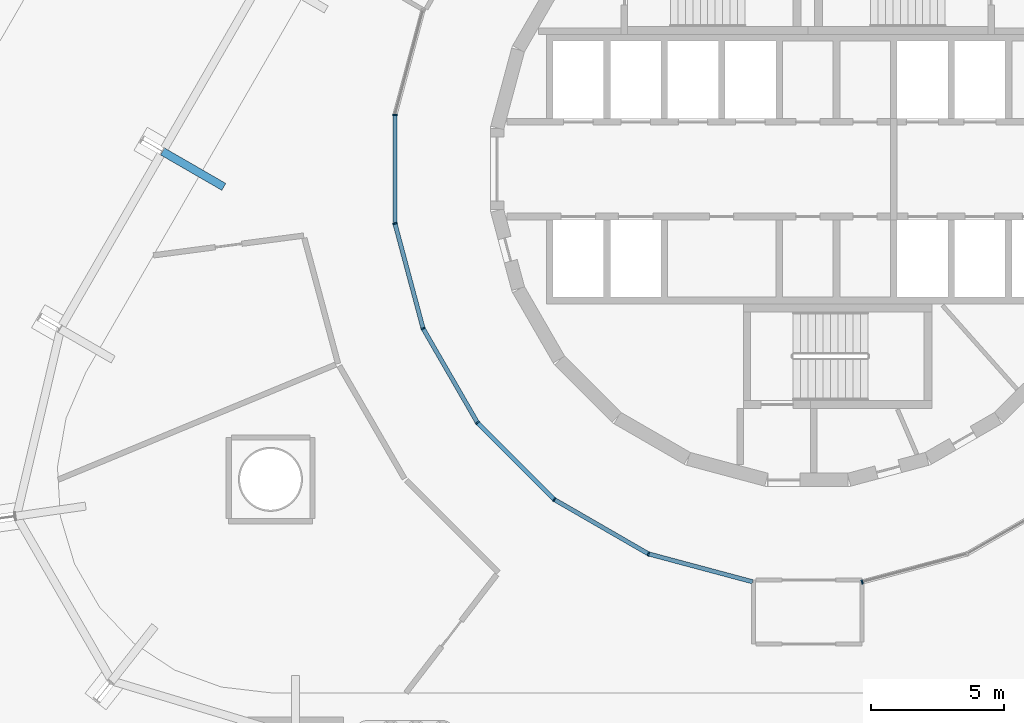
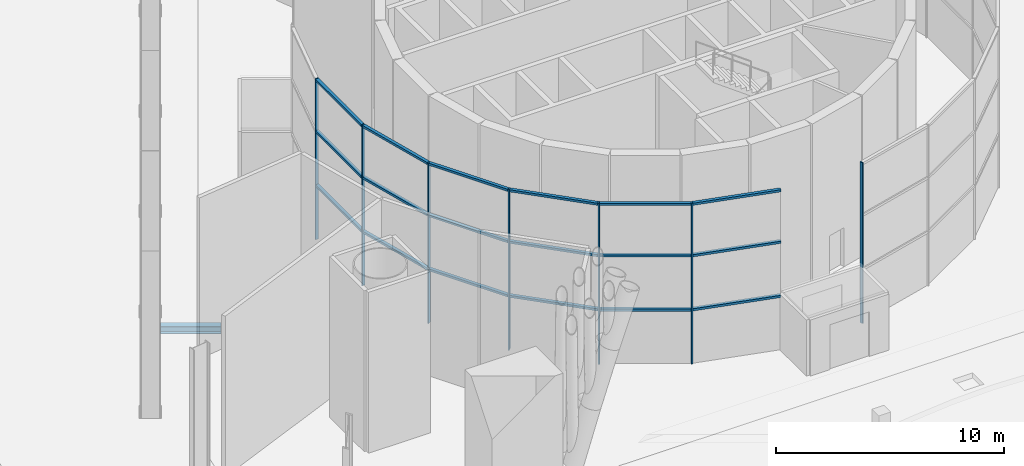
# One storey, part 4 of 21: 25 members, 1 beam, 7 elements without a shape of their own.
"""IFC4 building model written with IfcOpenShell, lengths in metres."""

from ifc_helpers import new_model, si_unit, direction, frame, origin, origin_2d, place, context, subcontext, project, spatial, rectangle, i_section, extrude, material, layer, layer_set, material_profile, profile_set, type_object, element, aggregate, save


model = new_model("IFC4")

# Units and contexts
model_context = context("Model", 3, precision=1e-05, world=origin(), true_north=direction((0.0, 1.0)))
body_context = subcontext(model_context, "Body", "Model", "MODEL_VIEW")
ifc_project = project(units=[si_unit("LENGTHUNIT", "METRE"), si_unit("AREAUNIT", "SQUARE_METRE"), si_unit("VOLUMEUNIT", "CUBIC_METRE"), si_unit("PLANEANGLEUNIT", "RADIAN"), si_unit("MASSUNIT", "GRAM", prefix="KILO")], contexts=[model_context])

# Site, building, storey
site_placement = place(None, origin())
site = spatial("IfcSite", under=ifc_project, at=site_placement, CompositionType="ELEMENT")
building_placement = place(site_placement, origin())
building = spatial("IfcBuilding", under=site, at=building_placement, Name="Spindle Arch Residences", CompositionType="ELEMENT")
storey_placement = place(building_placement, origin())
storey = spatial("IfcBuildingStorey", under=building, at=storey_placement, Name="L00", CompositionType="ELEMENT", Elevation=0.0)

# Curtain wall, member
ifc_material_1 = material(Name="Aluminium bronze unitised frame with tinted glass", Category="aluminium")
ifc_layer = layer(ifc_material_1, 0.159912109375)
ifc_layer_set = layer_set([ifc_layer], Name="CW-A arcade glazed lobby wall")
curtain_wall_type = type_object("IfcCurtainWallType", Name="CW-A arcade glazed lobby wall", PredefinedType="NOTDEFINED", material=ifc_layer_set)
curtain_wall_1_placement = place(storey_placement, origin())
curtain_wall_1 = element("IfcCurtainWall", 1, at=curtain_wall_1_placement, inside=storey, type_object=curtain_wall_type, Name="CW-A L00 CWA16", PredefinedType="NOTDEFINED")
ifc_material_2 = material(Name="Aluminium bronze anodised mullion", Category="aluminium")
ifc_material_profile_1 = material_profile(ifc_material_2, rectangle(XDim=0.159912109375, YDim=0.06005859375, at=origin_2d()), Name="MU 60x160")
ifc_profile_set_1 = profile_set([ifc_material_profile_1], Name="Aluminium bronze anodised mullion")
member_type_1 = type_object("IfcMemberType", Name="Bronze mullion 60x160", PredefinedType="MULLION", material=ifc_profile_set_1)
member_1_placement = place(storey_placement, frame((-15.4765625, 2.037353515625, 0.0), z_axis=(0.0, 0.0, 1.0), x_axis=(1.0, 0.0, 0.0)))
member_1 = element("IfcMember", 2, at=member_1_placement, type_object=member_type_1, Name="CW-A mullion 1", PredefinedType="MULLION", context=body_context, shape_type="SweptSolid", body=[
    extrude(rectangle(XDim=0.159912109375, YDim=0.06005859375, at=origin_2d()), origin(), (0.0, 0.0, 1.0), 8.6201171875),
])

curtain_wall_2_placement = place(storey_placement, origin())
curtain_wall_2 = element("IfcCurtainWall", 3, at=curtain_wall_2_placement, inside=storey, type_object=curtain_wall_type, Name="CW-A L00 CWA17", PredefinedType="NOTDEFINED")
member_2_placement = place(storey_placement, frame((-15.4765625, -2.037353515625, 0.0), z_axis=(0.0, 0.0, 1.0), x_axis=(0.965934589271, 0.258786338994, 0.0)))
member_2 = element("IfcMember", 4, at=member_2_placement, type_object=member_type_1, Name="CW-A mullion 1", PredefinedType="MULLION", context=body_context, shape_type="SweptSolid", body=[
    extrude(rectangle(XDim=0.159912109375, YDim=0.06005859375, at=origin_2d()), origin(), (0.0, 0.0, 1.0), 8.6201171875),
])

curtain_wall_3_placement = place(storey_placement, origin())
curtain_wall_3 = element("IfcCurtainWall", 5, at=curtain_wall_3_placement, inside=storey, type_object=curtain_wall_type, Name="CW-A L00 CWA18", PredefinedType="NOTDEFINED")
member_3_placement = place(storey_placement, frame((-14.422119140625, -5.973876953125, 0.0), z_axis=(0.0, 0.0, 1.0), x_axis=(0.866012300009, 0.500022695718, 0.0)))
member_3 = element("IfcMember", 6, at=member_3_placement, type_object=member_type_1, Name="CW-A mullion 1", PredefinedType="MULLION", context=body_context, shape_type="SweptSolid", body=[
    extrude(rectangle(XDim=0.159912109375, YDim=0.06005859375, at=origin_2d()), origin(), (0.0, 0.0, 1.0), 8.6201171875),
])

curtain_wall_4_placement = place(storey_placement, origin())
curtain_wall_4 = element("IfcCurtainWall", 7, at=curtain_wall_4_placement, inside=storey, type_object=curtain_wall_type, Name="CW-A L00 CWA19", PredefinedType="NOTDEFINED")
member_4_placement = place(storey_placement, frame((-12.38427734375, -9.5029296875, 0.0), z_axis=(0.0, 0.0, 1.0), x_axis=(0.707106781187, 0.707106781187, 0.0)))
member_4 = element("IfcMember", 8, at=member_4_placement, type_object=member_type_1, Name="CW-A mullion 1", PredefinedType="MULLION", context=body_context, shape_type="SweptSolid", body=[
    extrude(rectangle(XDim=0.159912109375, YDim=0.06005859375, at=origin_2d()), origin(), (0.0, 0.0, 1.0), 8.6201171875),
])

curtain_wall_5_placement = place(storey_placement, origin())
curtain_wall_5 = element("IfcCurtainWall", 9, at=curtain_wall_5_placement, inside=storey, type_object=curtain_wall_type, Name="CW-A L00 CWA20", PredefinedType="NOTDEFINED")
member_5_placement = place(storey_placement, frame((-9.5029296875, -12.38427734375, 0.0), z_axis=(0.0, 0.0, 1.0), x_axis=(0.500022695718, 0.866012300009, 0.0)))
member_5 = element("IfcMember", 10, at=member_5_placement, type_object=member_type_1, Name="CW-A mullion 1", PredefinedType="MULLION", context=body_context, shape_type="SweptSolid", body=[
    extrude(rectangle(XDim=0.159912109375, YDim=0.06005859375, at=origin_2d()), origin(), (0.0, 0.0, 1.0), 8.6201171875),
])

curtain_wall_6_placement = place(storey_placement, origin())
curtain_wall_6 = element("IfcCurtainWall", 11, at=curtain_wall_6_placement, inside=storey, type_object=curtain_wall_type, Name="CW-A L00 CWA21", PredefinedType="NOTDEFINED")
member_6_placement = place(storey_placement, frame((-5.973876953125, -14.422119140625, 0.0), z_axis=(0.0, 0.0, 1.0), x_axis=(0.258786338994, 0.965934589271, 0.0)))
member_6 = element("IfcMember", 12, at=member_6_placement, type_object=member_type_1, Name="CW-A mullion 1", PredefinedType="MULLION", context=body_context, shape_type="SweptSolid", body=[
    extrude(rectangle(XDim=0.159912109375, YDim=0.06005859375, at=origin_2d()), origin(), (0.0, 0.0, 1.0), 8.6201171875),
])

curtain_wall_7_placement = place(storey_placement, origin())
curtain_wall_7 = element("IfcCurtainWall", 13, at=curtain_wall_7_placement, inside=storey, type_object=curtain_wall_type, Name="CW-A L00 CWA23", PredefinedType="NOTDEFINED")
member_7_placement = place(storey_placement, frame((2.037353515625, -15.4765625, 0.0), z_axis=(0.0, 0.0, 1.0), x_axis=(-0.258786338994, 0.965934589271, 0.0)))
member_7 = element("IfcMember", 14, at=member_7_placement, type_object=member_type_1, Name="CW-A mullion 1", PredefinedType="MULLION", context=body_context, shape_type="SweptSolid", body=[
    extrude(rectangle(XDim=0.159912109375, YDim=0.06005859375, at=origin_2d()), origin(), (0.0, 0.0, 1.0), 8.6201171875),
])
aggregate(curtain_wall_7, [member_7])

# Member
ifc_material_3 = material(Name="Aluminium bronze anodised transom", Category="aluminium")
ifc_material_profile_2 = material_profile(ifc_material_3, rectangle(XDim=0.159912109375, YDim=0.1201171875, at=origin_2d()), Name="TR 120x160")
ifc_profile_set_2 = profile_set([ifc_material_profile_2], Name="Aluminium bronze anodised transom")
member_type_2 = type_object("IfcMemberType", Name="Bronze transom 120x160", PredefinedType="USERDEFINED", material=ifc_profile_set_2)
member_8_placement = place(storey_placement, frame((-15.4765625, 2.00732421875, 2.89990234375), z_axis=(0.0, -1.0, 0.0), x_axis=(1.0, 0.0, 0.0)))
member_8 = element("IfcMember", 15, at=member_8_placement, type_object=member_type_2, Name="CW-A transom 00.1", ObjectType="TRANSOM", PredefinedType="USERDEFINED", context=body_context, shape_type="SweptSolid", body=[
    extrude(rectangle(XDim=0.159912109375, YDim=0.1201171875, at=origin_2d()), origin(), (0.0, 0.0, 1.0), 4.0146484375),
])

member_9_placement = place(storey_placement, frame((-15.4765625, 2.00732421875, 5.800048828125), z_axis=(0.0, -1.0, 0.0), x_axis=(1.0, 0.0, 0.0)))
member_9 = element("IfcMember", 16, at=member_9_placement, type_object=member_type_2, Name="CW-A transom 00.2", ObjectType="TRANSOM", PredefinedType="USERDEFINED", context=body_context, shape_type="SweptSolid", body=[
    extrude(rectangle(XDim=0.159912109375, YDim=0.1201171875, at=origin_2d()), origin(), (0.0, 0.0, 1.0), 4.0146484375),
])

member_10_placement = place(storey_placement, frame((-15.4765625, 2.00732421875, 8.56005859375), z_axis=(0.0, -1.0, 0.0), x_axis=(1.0, 0.0, 0.0)))
member_10 = element("IfcMember", 17, at=member_10_placement, type_object=member_type_2, Name="CW-A transom 00.3", ObjectType="TRANSOM", PredefinedType="USERDEFINED", context=body_context, shape_type="SweptSolid", body=[
    extrude(rectangle(XDim=0.159912109375, YDim=0.1201171875, at=origin_2d()), origin(), (0.0, 0.0, 1.0), 4.0146484375),
])

aggregate(curtain_wall_1, [member_1, member_8, member_9, member_10])

member_11_placement = place(storey_placement, frame((-15.46875, -2.06640625, 2.89990234375), z_axis=(0.258782687609, -0.965935567517, 0.0), x_axis=(0.965935567517, 0.258782687609, 0.0)))
member_11 = element("IfcMember", 18, at=member_11_placement, type_object=member_type_2, Name="CW-A transom 00.1", ObjectType="TRANSOM", PredefinedType="USERDEFINED", context=body_context, shape_type="SweptSolid", body=[
    extrude(rectangle(XDim=0.159912109375, YDim=0.1201171875, at=origin_2d()), origin(), (0.0, 0.0, 1.0), 4.01513671875),
])

member_12_placement = place(storey_placement, frame((-15.46875, -2.06640625, 5.800048828125), z_axis=(0.258782687609, -0.965935567517, 0.0), x_axis=(0.965935567517, 0.258782687609, 0.0)))
member_12 = element("IfcMember", 19, at=member_12_placement, type_object=member_type_2, Name="CW-A transom 00.2", ObjectType="TRANSOM", PredefinedType="USERDEFINED", context=body_context, shape_type="SweptSolid", body=[
    extrude(rectangle(XDim=0.159912109375, YDim=0.1201171875, at=origin_2d()), origin(), (0.0, 0.0, 1.0), 4.01513671875),
])

member_13_placement = place(storey_placement, frame((-15.46875, -2.06640625, 8.56005859375), z_axis=(0.258782687609, -0.965935567517, 0.0), x_axis=(0.965935567517, 0.258782687609, 0.0)))
member_13 = element("IfcMember", 20, at=member_13_placement, type_object=member_type_2, Name="CW-A transom 00.3", ObjectType="TRANSOM", PredefinedType="USERDEFINED", context=body_context, shape_type="SweptSolid", body=[
    extrude(rectangle(XDim=0.159912109375, YDim=0.1201171875, at=origin_2d()), origin(), (0.0, 0.0, 1.0), 4.01513671875),
])

aggregate(curtain_wall_2, [member_2, member_11, member_12, member_13])

member_14_placement = place(storey_placement, frame((-14.406982421875, -5.999755859375, 2.89990234375), z_axis=(0.500017214385, -0.866015464827, 0.0), x_axis=(0.866015464827, 0.500017214385, 0.0)))
member_14 = element("IfcMember", 21, at=member_14_placement, type_object=member_type_2, Name="CW-A transom 00.1", ObjectType="TRANSOM", PredefinedType="USERDEFINED", context=body_context, shape_type="SweptSolid", body=[
    extrude(rectangle(XDim=0.159912109375, YDim=0.1201171875, at=origin_2d()), origin(), (0.0, 0.0, 1.0), 4.014892578125),
])

member_15_placement = place(storey_placement, frame((-14.406982421875, -5.999755859375, 5.800048828125), z_axis=(0.500017214385, -0.866015464827, 0.0), x_axis=(0.866015464827, 0.500017214385, 0.0)))
member_15 = element("IfcMember", 22, at=member_15_placement, type_object=member_type_2, Name="CW-A transom 00.2", ObjectType="TRANSOM", PredefinedType="USERDEFINED", context=body_context, shape_type="SweptSolid", body=[
    extrude(rectangle(XDim=0.159912109375, YDim=0.1201171875, at=origin_2d()), origin(), (0.0, 0.0, 1.0), 4.014892578125),
])

member_16_placement = place(storey_placement, frame((-14.406982421875, -5.999755859375, 8.56005859375), z_axis=(0.500017214385, -0.866015464827, 0.0), x_axis=(0.866015464827, 0.500017214385, 0.0)))
member_16 = element("IfcMember", 23, at=member_16_placement, type_object=member_type_2, Name="CW-A transom 00.3", ObjectType="TRANSOM", PredefinedType="USERDEFINED", context=body_context, shape_type="SweptSolid", body=[
    extrude(rectangle(XDim=0.159912109375, YDim=0.1201171875, at=origin_2d()), origin(), (0.0, 0.0, 1.0), 4.014892578125),
])

aggregate(curtain_wall_3, [member_3, member_14, member_15, member_16])

member_17_placement = place(storey_placement, frame((-12.363037109375, -9.524169921875, 2.89990234375), z_axis=(0.707106781187, -0.707106781187, 0.0), x_axis=(0.707106781187, 0.707106781187, 0.0)))
member_17 = element("IfcMember", 24, at=member_17_placement, type_object=member_type_2, Name="CW-A transom 00.1", ObjectType="TRANSOM", PredefinedType="USERDEFINED", context=body_context, shape_type="SweptSolid", body=[
    extrude(rectangle(XDim=0.159912109375, YDim=0.1201171875, at=origin_2d()), origin(), (0.0, 0.0, 1.0), 4.0146484375),
])

member_18_placement = place(storey_placement, frame((-12.363037109375, -9.524169921875, 5.800048828125), z_axis=(0.707106781187, -0.707106781187, 0.0), x_axis=(0.707106781187, 0.707106781187, 0.0)))
member_18 = element("IfcMember", 25, at=member_18_placement, type_object=member_type_2, Name="CW-A transom 00.2", ObjectType="TRANSOM", PredefinedType="USERDEFINED", context=body_context, shape_type="SweptSolid", body=[
    extrude(rectangle(XDim=0.159912109375, YDim=0.1201171875, at=origin_2d()), origin(), (0.0, 0.0, 1.0), 4.0146484375),
])

member_19_placement = place(storey_placement, frame((-12.363037109375, -9.524169921875, 8.56005859375), z_axis=(0.707106781187, -0.707106781187, 0.0), x_axis=(0.707106781187, 0.707106781187, 0.0)))
member_19 = element("IfcMember", 26, at=member_19_placement, type_object=member_type_2, Name="CW-A transom 00.3", ObjectType="TRANSOM", PredefinedType="USERDEFINED", context=body_context, shape_type="SweptSolid", body=[
    extrude(rectangle(XDim=0.159912109375, YDim=0.1201171875, at=origin_2d()), origin(), (0.0, 0.0, 1.0), 4.0146484375),
])

aggregate(curtain_wall_4, [member_4, member_17, member_18, member_19])

member_20_placement = place(storey_placement, frame((-9.476806640625, -12.3994140625, 2.89990234375), z_axis=(0.866015464827, -0.500017214385, 0.0), x_axis=(0.500017214385, 0.866015464827, 0.0)))
member_20 = element("IfcMember", 27, at=member_20_placement, type_object=member_type_2, Name="CW-A transom 00.1", ObjectType="TRANSOM", PredefinedType="USERDEFINED", context=body_context, shape_type="SweptSolid", body=[
    extrude(rectangle(XDim=0.159912109375, YDim=0.1201171875, at=origin_2d()), origin(), (0.0, 0.0, 1.0), 4.014892578125),
])

member_21_placement = place(storey_placement, frame((-9.476806640625, -12.3994140625, 5.800048828125), z_axis=(0.866015464827, -0.500017214385, 0.0), x_axis=(0.500017214385, 0.866015464827, 0.0)))
member_21 = element("IfcMember", 28, at=member_21_placement, type_object=member_type_2, Name="CW-A transom 00.2", ObjectType="TRANSOM", PredefinedType="USERDEFINED", context=body_context, shape_type="SweptSolid", body=[
    extrude(rectangle(XDim=0.159912109375, YDim=0.1201171875, at=origin_2d()), origin(), (0.0, 0.0, 1.0), 4.014892578125),
])

member_22_placement = place(storey_placement, frame((-9.476806640625, -12.3994140625, 8.56005859375), z_axis=(0.866015464827, -0.500017214385, 0.0), x_axis=(0.500017214385, 0.866015464827, 0.0)))
member_22 = element("IfcMember", 29, at=member_22_placement, type_object=member_type_2, Name="CW-A transom 00.3", ObjectType="TRANSOM", PredefinedType="USERDEFINED", context=body_context, shape_type="SweptSolid", body=[
    extrude(rectangle(XDim=0.159912109375, YDim=0.1201171875, at=origin_2d()), origin(), (0.0, 0.0, 1.0), 4.014892578125),
])

aggregate(curtain_wall_5, [member_5, member_20, member_21, member_22])

member_23_placement = place(storey_placement, frame((-5.94482421875, -14.4296875, 2.89990234375), z_axis=(0.965935567517, -0.258782687609, 0.0), x_axis=(0.258782687609, 0.965935567517, 0.0)))
member_23 = element("IfcMember", 30, at=member_23_placement, type_object=member_type_2, Name="CW-A transom 00.1", ObjectType="TRANSOM", PredefinedType="USERDEFINED", context=body_context, shape_type="SweptSolid", body=[
    extrude(rectangle(XDim=0.159912109375, YDim=0.1201171875, at=origin_2d()), origin(), (0.0, 0.0, 1.0), 4.01513671875),
])

member_24_placement = place(storey_placement, frame((-5.94482421875, -14.4296875, 5.800048828125), z_axis=(0.965935567517, -0.258782687609, 0.0), x_axis=(0.258782687609, 0.965935567517, 0.0)))
member_24 = element("IfcMember", 31, at=member_24_placement, type_object=member_type_2, Name="CW-A transom 00.2", ObjectType="TRANSOM", PredefinedType="USERDEFINED", context=body_context, shape_type="SweptSolid", body=[
    extrude(rectangle(XDim=0.159912109375, YDim=0.1201171875, at=origin_2d()), origin(), (0.0, 0.0, 1.0), 4.01513671875),
])

member_25_placement = place(storey_placement, frame((-5.94482421875, -14.4296875, 8.56005859375), z_axis=(0.965935567517, -0.258782687609, 0.0), x_axis=(0.258782687609, 0.965935567517, 0.0)))
member_25 = element("IfcMember", 32, at=member_25_placement, type_object=member_type_2, Name="CW-A transom 00.3", ObjectType="TRANSOM", PredefinedType="USERDEFINED", context=body_context, shape_type="SweptSolid", body=[
    extrude(rectangle(XDim=0.159912109375, YDim=0.1201171875, at=origin_2d()), origin(), (0.0, 0.0, 1.0), 4.01513671875),
])

aggregate(curtain_wall_6, [member_6, member_23, member_24, member_25])

# Beam
ifc_material_4 = material(Name="Steel S460ML, intumescent coating R 120", Category="steel")
ifc_material_profile_3 = material_profile(ifc_material_4, i_section(OverallWidth=0.300048828125, OverallDepth=0.389892578125, WebThickness=0.010986328125, FlangeThickness=0.01904296875, FilletRadius=0.027099609375, at=origin_2d()), Name="HEA 400")
ifc_profile_set_3 = profile_set([ifc_material_profile_3], Name="Steel S460ML, intumescent coating R 120")
beam_type = type_object("IfcBeamType", Name="Floor outrigger HEA 400", PredefinedType="BEAM", material=ifc_profile_set_3)
beam_placement = place(storey_placement, frame((-24.18896484375, 0.6630859375, -0.89501953125), z_axis=(0.866029095148, -0.499993606316, 0.0), x_axis=(0.499993606316, 0.866029095148, 0.0)))
element("IfcBeam", 33, at=beam_placement, inside=storey, type_object=beam_type, Name="Floor outrigger 18", PredefinedType="BEAM", context=body_context, shape_type="SweptSolid", body=[
    extrude(i_section(OverallWidth=0.300048828125, OverallDepth=0.389892578125, WebThickness=0.010986328125, FlangeThickness=0.01904296875, FilletRadius=0.027099609375, at=origin_2d()), origin(), (0.0, 0.0, 1.0), 2.64990234375),
])

save(model, "model.ifc")
